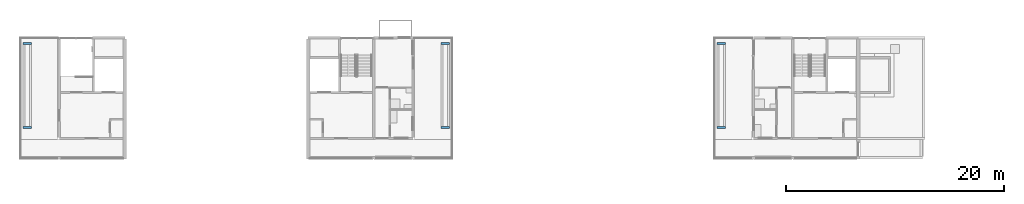
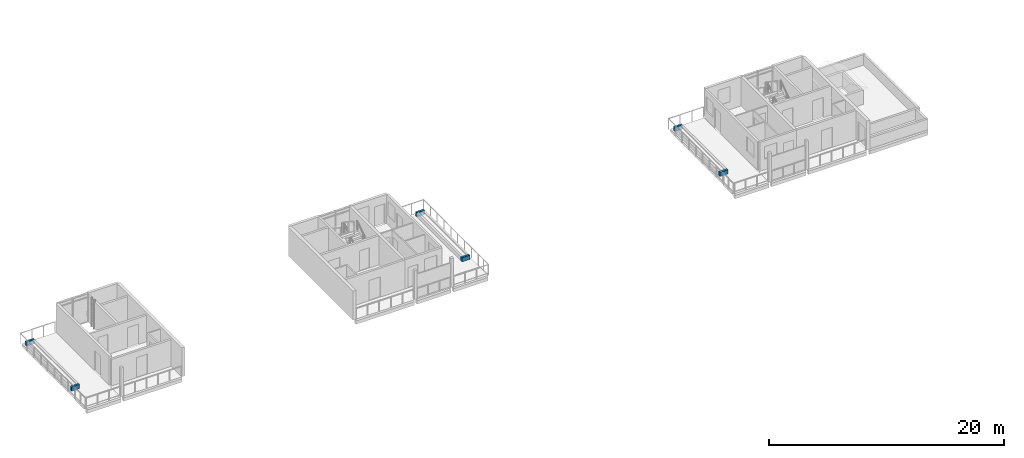
# One storey, part 26 of 33: 6 walls.
"""IFC4 building model written with IfcOpenShell, lengths in metres."""

from ifc_helpers import new_model, si_unit, direction, frame, frame_2d, origin, place, context, subcontext, project, spatial, rectangle, extrude, material, layer, layer_set, type_object, element, save


model = new_model("IFC4")

# Units and contexts
model_context = context("Model", 3, precision=1e-05, world=origin(), true_north=direction((0.0, 1.0)))
body_context = subcontext(model_context, "Body", "Model", "MODEL_VIEW")
ifc_project = project(units=[si_unit("LENGTHUNIT", "METRE"), si_unit("AREAUNIT", "SQUARE_METRE"), si_unit("VOLUMEUNIT", "CUBIC_METRE"), si_unit("PLANEANGLEUNIT", "RADIAN"), si_unit("MASSUNIT", "GRAM", prefix="KILO")], contexts=[model_context])

# Site, building, storey
site_placement = place(None, origin())
site = spatial("IfcSite", under=ifc_project, at=site_placement, CompositionType="ELEMENT")
building_placement = place(site_placement, origin())
building = spatial("IfcBuilding", under=site, at=building_placement, Name="Ridgestep Commons", CompositionType="ELEMENT")
storey_placement = place(building_placement, frame((0.0, 0.0, 42.0)))
storey = spatial("IfcBuildingStorey", under=building, at=storey_placement, Name="L14", CompositionType="ELEMENT", Elevation=42.0)

# Walls
ifc_material = material(Name="Facing brick", Category="masonry")
ifc_layer = layer(ifc_material, 0.199951171875)
ifc_layer_set = layer_set([ifc_layer], Name="Planter wall 200")
wall_type = type_object("IfcWallType", Name="Planter wall 200", PredefinedType="SOLIDWALL", material=ifc_layer_set)
for number, where, z_axis, x_axis, name in (
    (1, (19.449951171875, 14.64990234375, 0.010009765625), (0.0, 0.0, 1.0), (1.0, 0.0, 0.0), "Planter wall A1R3S"),
    (2, (19.449951171875, 22.35009765625, 0.010009765625), (0.0, 0.0, 1.0), (1.0, 0.0, 0.0), "Planter wall A1R3N"),
    (3, (57.75, 14.64990234375, 0.010009765625), (0.0, 0.0, 1.0), (1.0, 0.0, 0.0), "Planter wall A3R2S"),
    (4, (57.75, 22.35009765625, 0.010009765625), (0.0, 0.0, 1.0), (1.0, 0.0, 0.0), "Planter wall A3R2N"),
    (5, (83.050048828125, 14.64990234375, 0.010009765625), (0.0, 0.0, 1.0), (1.0, 0.0, 0.0), "Planter wall A5R2S"),
    (6, (83.050048828125, 22.35009765625, 0.010009765625), (0.0, 0.0, 1.0), (1.0, 0.0, 0.0), "Planter wall A5R2N"),
):
    element("IfcWall", number, at=place(storey_placement, frame(where, z_axis=z_axis, x_axis=x_axis)), inside=storey, type_object=wall_type, Name=name, PredefinedType="SOLIDWALL", context=body_context, shape_type="SweptSolid", body=[
        extrude(rectangle(XDim=0.800048828125, YDim=0.199951171875, at=frame_2d((0.39990234375, 0.0))), origin(), (0.0, 0.0, 1.0), 0.449951171875),
    ])

save(model, "model.ifc")
